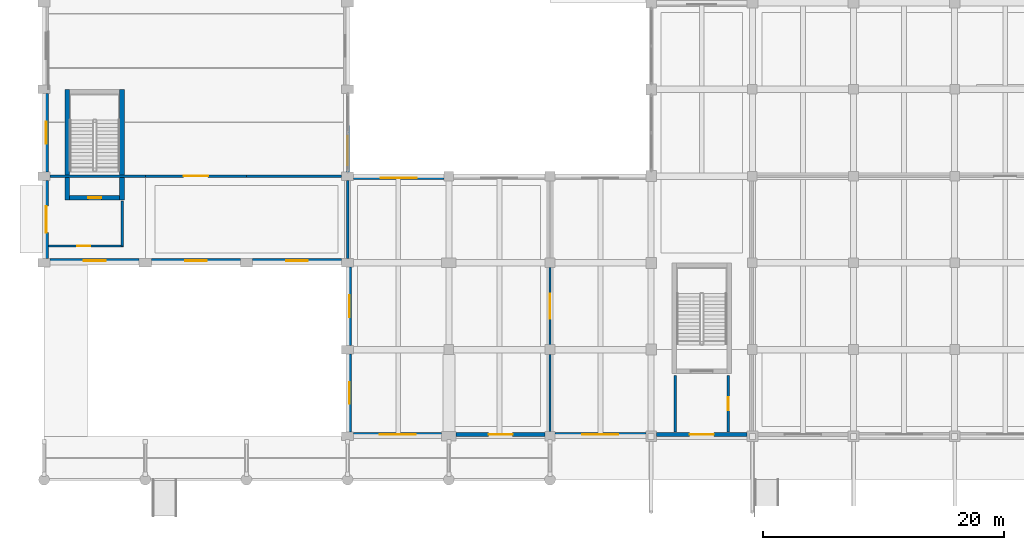
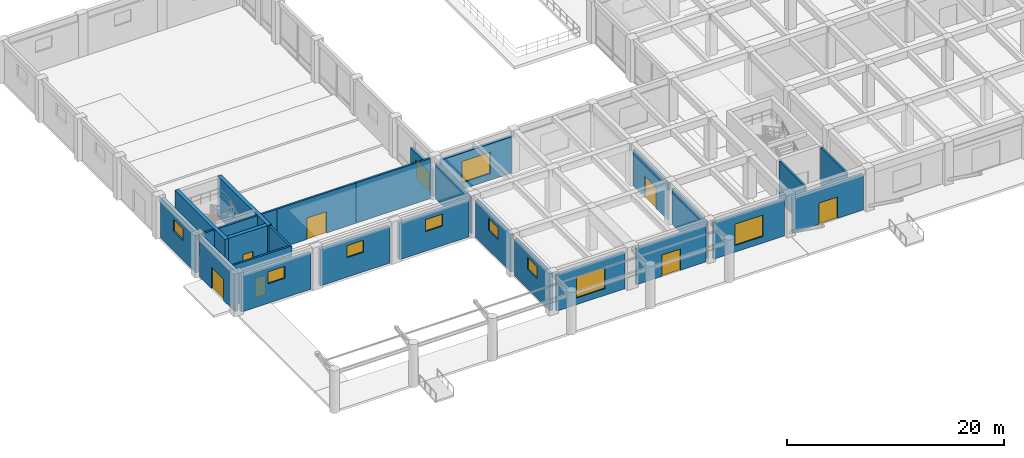
# One storey, part 25 of 49: 26 walls, 9 doors, 9 windows, 18 openings.
"""IFC4 building model written with IfcOpenShell, lengths in metres."""

from ifc_helpers import new_model, si_unit, direction, frame, frame_2d, origin, place, context, subcontext, project, spatial, rectangle, extrude, material, layer, layer_set, type_object, element, fill, save


model = new_model("IFC4")

# Units and contexts
model_context = context("Model", 3, precision=1e-05, world=origin(), true_north=direction((0.0, 1.0)))
body_context = subcontext(model_context, "Body", "Model", "MODEL_VIEW")
ifc_project = project(units=[si_unit("LENGTHUNIT", "METRE"), si_unit("AREAUNIT", "SQUARE_METRE"), si_unit("VOLUMEUNIT", "CUBIC_METRE"), si_unit("PLANEANGLEUNIT", "RADIAN"), si_unit("MASSUNIT", "GRAM", prefix="KILO")], contexts=[model_context])

# Site, building, storey
site_placement = place(None, origin())
site = spatial("IfcSite", under=ifc_project, at=site_placement, CompositionType="ELEMENT")
building_placement = place(site_placement, origin())
building = spatial("IfcBuilding", under=site, at=building_placement, Name="Kenerak Square Central Library", CompositionType="ELEMENT")
storey_placement = place(building_placement, origin())
storey = spatial("IfcBuildingStorey", under=building, at=storey_placement, Name="L00", CompositionType="ELEMENT", Elevation=0.0)

# Wall, opening, window
ifc_material_1 = material(Name="Concrete C40/50", Category="concrete")
ifc_layer_1 = layer(ifc_material_1, 0.35009765625)
ifc_layer_set_1 = layer_set([ifc_layer_1], Name="Concrete C40/50")
wall_type_1 = type_object("IfcWallType", Name="Auditorium Fluted Acoustic Wall AW-350 C40/50", PredefinedType="SOLIDWALL", material=ifc_layer_set_1)
wall_1_placement = place(storey_placement, frame((32.699951171875, 31.375, 0.0), z_axis=(0.0, 0.0, 1.0), x_axis=(-1.0, 0.0, 0.0)))
wall_1 = element("IfcWall", 1, at=wall_1_placement, inside=storey, type_object=wall_type_1, Name="Exterior Facade Wall L00 0092", PredefinedType="SOLIDWALL", context=body_context, shape_type="SweptSolid", body=[
    extrude(rectangle(XDim=7.39990234375, YDim=0.35009765625, at=frame_2d((3.699951171875, 0.0))), origin(), (0.0, 0.0, 1.0), 4.10009765625),
])
opening_1_placement = place(wall_1_placement, frame((2.800048828125, 0.0, 2.199951171875)))
opening_1 = element("IfcOpeningElement", 2, at=opening_1_placement, cuts=wall_1, Name="Opening W-08", PredefinedType="OPENING", context=body_context, shape_type="SweptSolid", body=[
    extrude(rectangle(XDim=1.800048828125, YDim=1.35009765625, at=frame_2d((0.89990234375, 0.675048828125))), frame((0.0, 0.18505859375, 0.0), z_axis=(0.0, -1.0, 0.0), x_axis=(1.0, 0.0, 0.0)), (0.0, 0.0, 1.0), 0.3701171875),
])
ifc_material_2 = material(Name="Solar-control low-E laminated double glazing", Category="glass")
window_type_1 = type_object("IfcWindowType", Name="Acoustic Clerestory Window W-08 1800x1350", PartitioningType="SINGLE_PANEL", PredefinedType="WINDOW", material=ifc_material_2)
window_1_placement = place(opening_1_placement, origin())
window_1 = element("IfcWindow", 3, at=window_1_placement, inside=storey, type_object=window_type_1, Name="Window W-08 L00 0065", OverallHeight=1.35009765625, OverallWidth=1.800048828125, PartitioningType="SINGLE_PANEL", PredefinedType="WINDOW", context=body_context, shape_type="SweptSolid", body=[
    extrude(rectangle(XDim=1.800048828125, YDim=1.35009765625, at=frame_2d((0.89990234375, 0.675048828125))), frame((0.0, 0.030029296875, 0.0), z_axis=(0.0, -1.0, 0.0), x_axis=(1.0, 0.0, 0.0)), (0.0, 0.0, 1.0), 0.06005859375),
])
fill(opening_1, window_1)

wall_2_placement = place(storey_placement, frame((24.300048828125, 31.375, 0.0), z_axis=(0.0, 0.0, 1.0), x_axis=(-1.0, 0.0, 0.0)))
wall_2 = element("IfcWall", 4, at=wall_2_placement, inside=storey, type_object=wall_type_1, Name="Exterior Facade Wall L00 0093", PredefinedType="SOLIDWALL", context=body_context, shape_type="SweptSolid", body=[
    extrude(rectangle(XDim=7.400146484375, YDim=0.35009765625, at=frame_2d((3.7001953125, 0.0))), origin(), (0.0, 0.0, 1.0), 4.10009765625),
])
opening_2_placement = place(wall_2_placement, frame((2.800048828125, 0.0, 2.199951171875)))
opening_2 = element("IfcOpeningElement", 5, at=opening_2_placement, cuts=wall_2, Name="Opening W-08", PredefinedType="OPENING", context=body_context, shape_type="SweptSolid", body=[
    extrude(rectangle(XDim=1.800048828125, YDim=1.35009765625, at=frame_2d((0.89990234375, 0.675048828125))), frame((0.0, 0.18505859375, 0.0), z_axis=(0.0, -1.0, 0.0), x_axis=(1.0, 0.0, 0.0)), (0.0, 0.0, 1.0), 0.3701171875),
])
window_2_placement = place(opening_2_placement, origin())
window_2 = element("IfcWindow", 6, at=window_2_placement, inside=storey, type_object=window_type_1, Name="Window W-08 L00 0066", OverallHeight=1.35009765625, OverallWidth=1.800048828125, PartitioningType="SINGLE_PANEL", PredefinedType="WINDOW", context=body_context, shape_type="SweptSolid", body=[
    extrude(rectangle(XDim=1.800048828125, YDim=1.35009765625, at=frame_2d((0.89990234375, 0.675048828125))), frame((0.0, 0.030029296875, 0.0), z_axis=(0.0, -1.0, 0.0), x_axis=(1.0, 0.0, 0.0)), (0.0, 0.0, 1.0), 0.06005859375),
])
fill(opening_2, window_2)

wall_3_placement = place(storey_placement, frame((15.89990234375, 31.375, 0.0), z_axis=(0.0, 0.0, 1.0), x_axis=(-1.0, 0.0, 0.0)))
wall_3 = element("IfcWall", 7, at=wall_3_placement, inside=storey, type_object=wall_type_1, Name="Exterior Facade Wall L00 0094", PredefinedType="SOLIDWALL", context=body_context, shape_type="SweptSolid", body=[
    extrude(rectangle(XDim=7.39990234375, YDim=0.35009765625, at=frame_2d((3.699951171875, 0.0))), origin(), (0.0, 0.0, 1.0), 4.10009765625),
])
opening_3_placement = place(wall_3_placement, frame((2.800048828125, 0.0, 2.199951171875)))
opening_3 = element("IfcOpeningElement", 8, at=opening_3_placement, cuts=wall_3, Name="Opening W-08", PredefinedType="OPENING", context=body_context, shape_type="SweptSolid", body=[
    extrude(rectangle(XDim=1.800048828125, YDim=1.35009765625, at=frame_2d((0.89990234375, 0.675048828125))), frame((0.0, 0.18505859375, 0.0), z_axis=(0.0, -1.0, 0.0), x_axis=(1.0, 0.0, 0.0)), (0.0, 0.0, 1.0), 0.3701171875),
])
window_3_placement = place(opening_3_placement, origin())
window_3 = element("IfcWindow", 9, at=window_3_placement, inside=storey, type_object=window_type_1, Name="Window W-08 L00 0067", OverallHeight=1.35009765625, OverallWidth=1.800048828125, PartitioningType="SINGLE_PANEL", PredefinedType="WINDOW", context=body_context, shape_type="SweptSolid", body=[
    extrude(rectangle(XDim=1.800048828125, YDim=1.35009765625, at=frame_2d((0.89990234375, 0.675048828125))), frame((0.0, 0.030029296875, 0.0), z_axis=(0.0, -1.0, 0.0), x_axis=(1.0, 0.0, 0.0)), (0.0, 0.0, 1.0), 0.06005859375),
])
fill(opening_3, window_3)

# Wall, opening, door
wall_4_placement = place(storey_placement, frame((8.175048828125, 31.550048828125, 0.0), z_axis=(0.0, 0.0, 1.0), x_axis=(0.0, 1.0, 0.0)))
wall_4 = element("IfcWall", 10, at=wall_4_placement, inside=storey, type_object=wall_type_1, Name="Exterior Facade Wall L00 0095", PredefinedType="SOLIDWALL", context=body_context, shape_type="SweptSolid", body=[
    extrude(rectangle(XDim=6.5, YDim=0.35009765625, at=frame_2d((3.25, 0.0))), origin(), (0.0, 0.0, 1.0), 4.52490234375),
])
opening_4_placement = place(wall_4_placement, frame((2.14990234375, 0.0, 0.0)))
opening_4 = element("IfcOpeningElement", 11, at=opening_4_placement, cuts=wall_4, Name="Opening ED-03", PredefinedType="OPENING", context=body_context, shape_type="SweptSolid", body=[
    extrude(rectangle(XDim=2.199951171875, YDim=2.39990234375, at=frame_2d((1.10009765625, 1.199951171875))), frame((0.0, 0.18505859375, 0.0), z_axis=(0.0, -1.0, 0.0), x_axis=(1.0, 0.0, 0.0)), (0.0, 0.0, 1.0), 0.3701171875),
])
ifc_material_3 = material(Name="Anodised aluminium and laminated glass", Category="aluminium")
door_type_1 = type_object("IfcDoorType", Name="Auditorium Foyer Double Exit Door ED-2200x2400", OperationType="NOTDEFINED", PredefinedType="DOOR", material=ifc_material_3)
door_1_placement = place(opening_4_placement, origin())
door_1 = element("IfcDoor", 12, at=door_1_placement, inside=storey, type_object=door_type_1, Name="Exterior Entrance Door L00 015", OperationType="DOUBLE_DOOR_SINGLE_SWING", OverallHeight=2.39990234375, OverallWidth=2.199951171875, PredefinedType="DOOR", context=body_context, shape_type="SweptSolid", body=[
    extrude(rectangle(XDim=2.199951171875, YDim=2.39990234375, at=frame_2d((1.10009765625, 1.199951171875))), frame((0.0, 0.02490234375, 0.0), z_axis=(0.0, -1.0, 0.0), x_axis=(1.0, 0.0, 0.0)), (0.0, 0.0, 1.0), 0.050048828125),
])
fill(opening_4, door_1)

# Wall, opening, window
wall_5_placement = place(storey_placement, frame((8.175048828125, 38.75, 0.0), z_axis=(0.0, 0.0, 1.0), x_axis=(0.0, 1.0, 0.0)))
wall_5 = element("IfcWall", 13, at=wall_5_placement, inside=storey, type_object=wall_type_1, Name="Exterior Facade Wall L00 0096", PredefinedType="SOLIDWALL", context=body_context, shape_type="SweptSolid", body=[
    extrude(rectangle(XDim=6.5, YDim=0.35009765625, at=frame_2d((3.25, 0.0))), origin(), (0.0, 0.0, 1.0), 4.52490234375),
])
opening_5_placement = place(wall_5_placement, frame((2.35009765625, 0.0, 2.199951171875)))
opening_5 = element("IfcOpeningElement", 14, at=opening_5_placement, cuts=wall_5, Name="Opening W-08", PredefinedType="OPENING", context=body_context, shape_type="SweptSolid", body=[
    extrude(rectangle(XDim=1.800048828125, YDim=1.35009765625, at=frame_2d((0.89990234375, 0.675048828125))), frame((0.0, 0.18505859375, 0.0), z_axis=(0.0, -1.0, 0.0), x_axis=(1.0, 0.0, 0.0)), (0.0, 0.0, 1.0), 0.3701171875),
])
window_4_placement = place(opening_5_placement, origin())
window_4 = element("IfcWindow", 15, at=window_4_placement, inside=storey, type_object=window_type_1, Name="Window W-08 L00 0068", OverallHeight=1.35009765625, OverallWidth=1.800048828125, PartitioningType="SINGLE_PANEL", PredefinedType="WINDOW", context=body_context, shape_type="SweptSolid", body=[
    extrude(rectangle(XDim=1.800048828125, YDim=1.35009765625, at=frame_2d((0.89990234375, 0.675048828125))), frame((0.0, 0.030029296875, 0.0), z_axis=(0.0, -1.0, 0.0), x_axis=(1.0, 0.0, 0.0)), (0.0, 0.0, 1.0), 0.06005859375),
])
fill(opening_5, window_4)

# Wall, opening, door
ifc_layer_2 = layer(ifc_material_1, 0.300048828125)
ifc_layer_set_2 = layer_set([ifc_layer_2], Name="Concrete C40/50")
wall_type_2 = type_object("IfcWallType", Name="Board-Marked Brutalist Facade Wall EW-300 C40/50", PredefinedType="SOLIDWALL", material=ifc_layer_set_2)
wall_6_placement = place(storey_placement, frame((66.35009765625, 16.949951171875, 0.0), z_axis=(0.0, 0.0, 1.0), x_axis=(-1.0, 0.0, 0.0)))
wall_6 = element("IfcWall", 16, at=wall_6_placement, inside=storey, type_object=wall_type_2, Name="Exterior Facade Wall L00 0086", PredefinedType="SOLIDWALL", context=body_context, shape_type="SweptSolid", body=[
    extrude(rectangle(XDim=7.5, YDim=0.300048828125, at=frame_2d((3.75, 0.0))), origin(), (0.0, 0.0, 1.0), 4.0),
])
opening_6_placement = place(wall_6_placement, frame((2.75, 0.0, 0.0)))
opening_6 = element("IfcOpeningElement", 17, at=opening_6_placement, cuts=wall_6, Name="Opening ED-04", PredefinedType="OPENING", context=body_context, shape_type="SweptSolid", body=[
    extrude(rectangle(XDim=2.0, YDim=2.39990234375, at=frame_2d((1.0, 1.199951171875))), frame((0.0, 0.159912109375, 0.0), z_axis=(0.0, -1.0, 0.0), x_axis=(1.0, 0.0, 0.0)), (0.0, 0.0, 1.0), 0.320068359375),
])
door_type_2 = type_object("IfcDoorType", Name="Cafe and Bookshop Entrance Door ED-2000x2400", OperationType="NOTDEFINED", PredefinedType="DOOR", material=ifc_material_3)
door_2_placement = place(opening_6_placement, origin())
door_2 = element("IfcDoor", 18, at=door_2_placement, inside=storey, type_object=door_type_2, Name="Exterior Entrance Door L00 013", OperationType="DOUBLE_DOOR_SINGLE_SWING", OverallHeight=2.39990234375, OverallWidth=2.0, PredefinedType="DOOR", context=body_context, shape_type="SweptSolid", body=[
    extrude(rectangle(XDim=2.0, YDim=2.39990234375, at=frame_2d((1.0, 1.199951171875))), frame((0.0, 0.02490234375, 0.0), z_axis=(0.0, -1.0, 0.0), x_axis=(1.0, 0.0, 0.0)), (0.0, 0.0, 1.0), 0.050048828125),
])
fill(opening_6, door_2)

# Wall, opening, window
wall_7_placement = place(storey_placement, frame((57.949951171875, 16.949951171875, 0.0), z_axis=(0.0, 0.0, 1.0), x_axis=(-1.0, 0.0, 0.0)))
wall_7 = element("IfcWall", 19, at=wall_7_placement, inside=storey, type_object=wall_type_2, Name="Exterior Facade Wall L00 0087", PredefinedType="SOLIDWALL", context=body_context, shape_type="SweptSolid", body=[
    extrude(rectangle(XDim=7.550048828125, YDim=0.300048828125, at=frame_2d((3.77490234375, 0.0))), origin(), (0.0, 0.0, 1.0), 4.10009765625),
])
opening_7_placement = place(wall_7_placement, frame((2.27490234375, 0.0, 0.75)))
opening_7 = element("IfcOpeningElement", 20, at=opening_7_placement, cuts=wall_7, Name="Opening W-14", PredefinedType="OPENING", context=body_context, shape_type="SweptSolid", body=[
    extrude(rectangle(XDim=3.0, YDim=2.39990234375, at=frame_2d((1.5, 1.199951171875))), frame((0.0, 0.159912109375, 0.0), z_axis=(0.0, -1.0, 0.0), x_axis=(1.0, 0.0, 0.0)), (0.0, 0.0, 1.0), 0.320068359375),
])
window_type_2 = type_object("IfcWindowType", Name="Street Cafe Display Window W-14 3000x2400", PartitioningType="SINGLE_PANEL", PredefinedType="WINDOW", material=ifc_material_2)
window_5_placement = place(opening_7_placement, origin())
window_5 = element("IfcWindow", 21, at=window_5_placement, inside=storey, type_object=window_type_2, Name="Window W-14 L00 0061", OverallHeight=2.39990234375, OverallWidth=3.0, PartitioningType="SINGLE_PANEL", PredefinedType="WINDOW", context=body_context, shape_type="SweptSolid", body=[
    extrude(rectangle(XDim=3.0, YDim=2.39990234375, at=frame_2d((1.5, 1.199951171875))), frame((0.0, 0.030029296875, 0.0), z_axis=(0.0, -1.0, 0.0), x_axis=(1.0, 0.0, 0.0)), (0.0, 0.0, 1.0), 0.06005859375),
])
fill(opening_7, window_5)

# Wall, opening, door
wall_8_placement = place(storey_placement, frame((49.60009765625, 16.949951171875, 0.0), z_axis=(0.0, 0.0, 1.0), x_axis=(-1.0, 0.0, 0.0)))
wall_8 = element("IfcWall", 22, at=wall_8_placement, inside=storey, type_object=wall_type_2, Name="Exterior Facade Wall L00 0088", PredefinedType="SOLIDWALL", context=body_context, shape_type="SweptSolid", body=[
    extrude(rectangle(XDim=7.400146484375, YDim=0.300048828125, at=frame_2d((3.7001953125, 0.0))), origin(), (0.0, 0.0, 1.0), 4.10009765625),
])
opening_8_placement = place(wall_8_placement, frame((2.699951171875, 0.0, 0.0)))
opening_8 = element("IfcOpeningElement", 23, at=opening_8_placement, cuts=wall_8, Name="Opening ED-04", PredefinedType="OPENING", context=body_context, shape_type="SweptSolid", body=[
    extrude(rectangle(XDim=2.0, YDim=2.39990234375, at=frame_2d((1.0, 1.199951171875))), frame((0.0, 0.159912109375, 0.0), z_axis=(0.0, -1.0, 0.0), x_axis=(1.0, 0.0, 0.0)), (0.0, 0.0, 1.0), 0.320068359375),
])
door_3_placement = place(opening_8_placement, origin())
door_3 = element("IfcDoor", 24, at=door_3_placement, inside=storey, type_object=door_type_2, Name="Exterior Entrance Door L00 014", OperationType="DOUBLE_DOOR_SINGLE_SWING", OverallHeight=2.39990234375, OverallWidth=2.0, PredefinedType="DOOR", context=body_context, shape_type="SweptSolid", body=[
    extrude(rectangle(XDim=2.0, YDim=2.39990234375, at=frame_2d((1.0, 1.199951171875))), frame((0.0, 0.02490234375, 0.0), z_axis=(0.0, -1.0, 0.0), x_axis=(1.0, 0.0, 0.0)), (0.0, 0.0, 1.0), 0.050048828125),
])
fill(opening_8, door_3)

# Wall, opening, window
wall_9_placement = place(storey_placement, frame((41.0, 16.949951171875, 0.0), z_axis=(0.0, 0.0, 1.0), x_axis=(-1.0, 0.0, 0.0)))
wall_9 = element("IfcWall", 25, at=wall_9_placement, inside=storey, type_object=wall_type_2, Name="Exterior Facade Wall L00 0089", PredefinedType="SOLIDWALL", context=body_context, shape_type="SweptSolid", body=[
    extrude(rectangle(XDim=7.300048828125, YDim=0.300048828125, at=frame_2d((3.64990234375, 0.0))), origin(), (0.0, 0.0, 1.0), 4.10009765625),
])
opening_9_placement = place(wall_9_placement, frame((2.14990234375, 0.0, 0.75)))
opening_9 = element("IfcOpeningElement", 26, at=opening_9_placement, cuts=wall_9, Name="Opening W-14", PredefinedType="OPENING", context=body_context, shape_type="SweptSolid", body=[
    extrude(rectangle(XDim=3.0, YDim=2.39990234375, at=frame_2d((1.5, 1.199951171875))), frame((0.0, 0.159912109375, 0.0), z_axis=(0.0, -1.0, 0.0), x_axis=(1.0, 0.0, 0.0)), (0.0, 0.0, 1.0), 0.320068359375),
])
window_6_placement = place(opening_9_placement, origin())
window_6 = element("IfcWindow", 27, at=window_6_placement, inside=storey, type_object=window_type_2, Name="Window W-14 L00 0062", OverallHeight=2.39990234375, OverallWidth=3.0, PartitioningType="SINGLE_PANEL", PredefinedType="WINDOW", context=body_context, shape_type="SweptSolid", body=[
    extrude(rectangle(XDim=3.0, YDim=2.39990234375, at=frame_2d((1.5, 1.199951171875))), frame((0.0, 0.030029296875, 0.0), z_axis=(0.0, -1.0, 0.0), x_axis=(1.0, 0.0, 0.0)), (0.0, 0.0, 1.0), 0.06005859375),
])
fill(opening_9, window_6)

wall_10_placement = place(storey_placement, frame((33.35009765625, 17.14990234375, 0.0), z_axis=(0.0, 0.0, 1.0), x_axis=(0.0, 1.0, 0.0)))
wall_10 = element("IfcWall", 28, at=wall_10_placement, inside=storey, type_object=wall_type_2, Name="Exterior Facade Wall L00 0090", PredefinedType="SOLIDWALL", context=body_context, shape_type="SweptSolid", body=[
    extrude(rectangle(XDim=6.5, YDim=0.300048828125, at=frame_2d((3.25, 0.0))), origin(), (0.0, 0.0, 1.0), 4.199951171875),
])
opening_10_placement = place(wall_10_placement, frame((2.35009765625, 0.0, 2.199951171875)))
opening_10 = element("IfcOpeningElement", 29, at=opening_10_placement, cuts=wall_10, Name="Opening W-08", PredefinedType="OPENING", context=body_context, shape_type="SweptSolid", body=[
    extrude(rectangle(XDim=1.800048828125, YDim=1.35009765625, at=frame_2d((0.89990234375, 0.675048828125))), frame((0.0, 0.159912109375, 0.0), z_axis=(0.0, -1.0, 0.0), x_axis=(1.0, 0.0, 0.0)), (0.0, 0.0, 1.0), 0.320068359375),
])
window_7_placement = place(opening_10_placement, origin())
window_7 = element("IfcWindow", 30, at=window_7_placement, inside=storey, type_object=window_type_1, Name="Window W-08 L00 0063", OverallHeight=1.35009765625, OverallWidth=1.800048828125, PartitioningType="SINGLE_PANEL", PredefinedType="WINDOW", context=body_context, shape_type="SweptSolid", body=[
    extrude(rectangle(XDim=1.800048828125, YDim=1.35009765625, at=frame_2d((0.89990234375, 0.675048828125))), frame((0.0, 0.030029296875, 0.0), z_axis=(0.0, -1.0, 0.0), x_axis=(1.0, 0.0, 0.0)), (0.0, 0.0, 1.0), 0.06005859375),
])
fill(opening_10, window_7)

wall_11_placement = place(storey_placement, frame((33.35009765625, 24.35009765625, 0.0), z_axis=(0.0, 0.0, 1.0), x_axis=(0.0, 1.0, 0.0)))
wall_11 = element("IfcWall", 31, at=wall_11_placement, inside=storey, type_object=wall_type_2, Name="Exterior Facade Wall L00 0091", PredefinedType="SOLIDWALL", context=body_context, shape_type="SweptSolid", body=[
    extrude(rectangle(XDim=6.5, YDim=0.300048828125, at=frame_2d((3.25, 0.0))), origin(), (0.0, 0.0, 1.0), 4.199951171875),
])
opening_11_placement = place(wall_11_placement, frame((2.35009765625, 0.0, 2.199951171875)))
opening_11 = element("IfcOpeningElement", 32, at=opening_11_placement, cuts=wall_11, Name="Opening W-08", PredefinedType="OPENING", context=body_context, shape_type="SweptSolid", body=[
    extrude(rectangle(XDim=1.800048828125, YDim=1.35009765625, at=frame_2d((0.89990234375, 0.675048828125))), frame((0.0, 0.159912109375, 0.0), z_axis=(0.0, -1.0, 0.0), x_axis=(1.0, 0.0, 0.0)), (0.0, 0.0, 1.0), 0.320068359375),
])
window_8_placement = place(opening_11_placement, origin())
window_8 = element("IfcWindow", 33, at=window_8_placement, inside=storey, type_object=window_type_1, Name="Window W-08 L00 0064", OverallHeight=1.35009765625, OverallWidth=1.800048828125, PartitioningType="SINGLE_PANEL", PredefinedType="WINDOW", context=body_context, shape_type="SweptSolid", body=[
    extrude(rectangle(XDim=1.800048828125, YDim=1.35009765625, at=frame_2d((0.89990234375, 0.675048828125))), frame((0.0, 0.030029296875, 0.0), z_axis=(0.0, -1.0, 0.0), x_axis=(1.0, 0.0, 0.0)), (0.0, 0.0, 1.0), 0.06005859375),
])
fill(opening_11, window_8)

wall_12_placement = place(storey_placement, frame((33.699951171875, 38.25, 0.0), z_axis=(0.0, 0.0, 1.0), x_axis=(1.0, 0.0, 0.0)))
wall_12 = element("IfcWall", 34, at=wall_12_placement, inside=storey, type_object=wall_type_2, Name="Exterior Facade Wall L00 0105", PredefinedType="SOLIDWALL", context=body_context, shape_type="SweptSolid", body=[
    extrude(rectangle(XDim=7.5, YDim=0.300048828125, at=frame_2d((3.75, 0.0))), origin(), (0.0, 0.0, 1.0), 4.10009765625),
])
opening_12_placement = place(wall_12_placement, frame((2.25, 0.0, 0.75)))
opening_12 = element("IfcOpeningElement", 35, at=opening_12_placement, cuts=wall_12, Name="Opening W-14", PredefinedType="OPENING", context=body_context, shape_type="SweptSolid", body=[
    extrude(rectangle(XDim=3.0, YDim=2.39990234375, at=frame_2d((1.5, 1.199951171875))), frame((0.0, 0.159912109375, 0.0), z_axis=(0.0, -1.0, 0.0), x_axis=(1.0, 0.0, 0.0)), (0.0, 0.0, 1.0), 0.320068359375),
])
window_9_placement = place(opening_12_placement, origin())
window_9 = element("IfcWindow", 36, at=window_9_placement, inside=storey, type_object=window_type_2, Name="Window W-14 L00 0076", OverallHeight=2.39990234375, OverallWidth=3.0, PartitioningType="SINGLE_PANEL", PredefinedType="WINDOW", context=body_context, shape_type="SweptSolid", body=[
    extrude(rectangle(XDim=3.0, YDim=2.39990234375, at=frame_2d((1.5, 1.199951171875))), frame((0.0, 0.030029296875, 0.0), z_axis=(0.0, -1.0, 0.0), x_axis=(1.0, 0.0, 0.0)), (0.0, 0.0, 1.0), 0.06005859375),
])
fill(opening_12, window_9)

# Wall, opening, door
wall_13_placement = place(storey_placement, frame((33.199951171875, 38.39990234375, 0.0), z_axis=(0.0, 0.0, 1.0), x_axis=(0.0, 1.0, 0.0)))
wall_13 = element("IfcWall", 37, at=wall_13_placement, inside=storey, type_object=wall_type_2, Name="Monsoon Court West Screen Wall", PredefinedType="SOLIDWALL", context=body_context, shape_type="SweptSolid", body=[
    extrude(rectangle(XDim=4.2001953125, YDim=0.300048828125, at=frame_2d((2.10009765625, 0.0))), origin(), (0.0, 0.0, 1.0), 3.0),
])
opening_13_placement = place(wall_13_placement, frame((0.89990234375, 0.0, 0.0)))
opening_13 = element("IfcOpeningElement", 38, at=opening_13_placement, cuts=wall_13, Name="Opening CG-01", PredefinedType="OPENING", context=body_context, shape_type="SweptSolid", body=[
    extrude(rectangle(XDim=2.39990234375, YDim=2.199951171875, at=frame_2d((1.199951171875, 1.10009765625))), frame((0.0, 0.159912109375, 0.0), z_axis=(0.0, -1.0, 0.0), x_axis=(1.0, 0.0, 0.0)), (0.0, 0.0, 1.0), 0.320068359375),
])
ifc_material_4 = material(Name="Steel S355", Category="steel")
door_type_3 = type_object("IfcDoorType", Name="Courtyard Perimeter Security Gate CG-2400x2200", OperationType="NOTDEFINED", PredefinedType="GATE", material=ifc_material_4)
door_4_placement = place(opening_13_placement, origin())
door_4 = element("IfcDoor", 39, at=door_4_placement, inside=storey, type_object=door_type_3, Name="Monsoon Court West Screen Security Gate CG-01 01", OperationType="DOUBLE_DOOR_SINGLE_SWING", OverallHeight=2.199951171875, OverallWidth=2.39990234375, PredefinedType="GATE", context=body_context, shape_type="SweptSolid", body=[
    extrude(rectangle(XDim=2.39990234375, YDim=2.199951171875, at=frame_2d((1.199951171875, 1.10009765625))), frame((0.0, 0.02490234375, 0.0), z_axis=(0.0, -1.0, 0.0), x_axis=(1.0, 0.0, 0.0)), (0.0, 0.0, 1.0), 0.050048828125),
])
fill(opening_13, door_4)

# Walls
ifc_layer_3 = layer(ifc_material_1, 0.39990234375)
ifc_layer_set_3 = layer_set([ifc_layer_3], Name="Concrete C40/50")
wall_type_3 = type_object("IfcWallType", Name="Core Shear Wall CW-400 C40/50", PredefinedType="SHEAR", material=ifc_layer_set_3)
for number, where, z_axis, x_axis, name in (
    (40, (9.919921875, 36.39990234375, 0.0), (0.0, 0.0, 1.0), (0.0, 1.0, 0.0), "Core Wall CW-C6 L00 West"),
    (41, (14.47998046875, 45.60009765625, 0.0), (0.0, 0.0, 1.0), (0.0, -1.0, 0.0), "Core Wall CW-C6 L00 East"),
):
    element("IfcWall", number, at=place(storey_placement, frame(where, z_axis=z_axis, x_axis=x_axis)), inside=storey, type_object=wall_type_3, Name=name, PredefinedType="SHEAR", context=body_context, shape_type="SweptSolid", body=[
        extrude(rectangle(XDim=9.2001953125, YDim=0.39990234375, at=frame_2d((4.60009765625, 0.0))), origin(), (0.0, 0.0, 1.0), 4.574951171875),
    ])

# Wall, opening, door
wall_14_placement = place(storey_placement, frame((14.280029296875, 36.60009765625, 0.0), z_axis=(0.0, 0.0, 1.0), x_axis=(-1.0, 0.0, 0.0)))
wall_14 = element("IfcWall", 42, at=wall_14_placement, inside=storey, type_object=wall_type_3, Name="Core Wall CW-C6 L00 South", PredefinedType="SHEAR", context=body_context, shape_type="SweptSolid", body=[
    extrude(rectangle(XDim=4.159912109375, YDim=0.39990234375, at=frame_2d((2.080078125, 0.0))), origin(), (0.0, 0.0, 1.0), 4.574951171875),
])
opening_14_placement = place(wall_14_placement, frame((1.530029296875, 0.0, 0.0)))
opening_14 = element("IfcOpeningElement", 43, at=opening_14_placement, cuts=wall_14, Name="Opening D-ST1", PredefinedType="OPENING", context=body_context, shape_type="SweptSolid", body=[
    extrude(rectangle(XDim=1.10009765625, YDim=2.199951171875, at=frame_2d((0.550048828125, 1.10009765625))), frame((0.0, 0.2099609375, 0.0), z_axis=(0.0, -1.0, 0.0), x_axis=(1.0, 0.0, 0.0)), (0.0, 0.0, 1.0), 0.419921875),
])
door_type_4 = type_object("IfcDoorType", Name="Protected Stair Fire Door FD-1100x2200 FD60S", OperationType="NOTDEFINED", PredefinedType="DOOR", material=ifc_material_4)
door_5_placement = place(opening_14_placement, frame((1.10009765625, 0.0, 0.0), z_axis=(0.0, 0.0, 1.0), x_axis=(-1.0, 0.0, 0.0)))
door_5 = element("IfcDoor", 44, at=door_5_placement, inside=storey, type_object=door_type_4, Name="Stair Door ST-06 L00", OperationType="SINGLE_SWING_RIGHT", OverallHeight=2.199951171875, OverallWidth=1.10009765625, PredefinedType="DOOR", context=body_context, shape_type="SweptSolid", body=[
    extrude(rectangle(XDim=1.10009765625, YDim=2.199951171875, at=frame_2d((0.550048828125, 1.10009765625))), frame((0.0, 0.02490234375, 0.0), z_axis=(0.0, -1.0, 0.0), x_axis=(1.0, 0.0, 0.0)), (0.0, 0.0, 1.0), 0.050048828125),
])
fill(opening_14, door_5)

# Wall
ifc_layer_4 = layer(ifc_material_1, 0.199951171875)
ifc_layer_set_4 = layer_set([ifc_layer_4], Name="Concrete C40/50")
wall_type_4 = type_object("IfcWallType", Name="Lobby Compartment Wall LW-200 C40/50", PredefinedType="SOLIDWALL", material=ifc_layer_set_4)
wall_15_placement = place(storey_placement, frame((60.39990234375, 17.14990234375, 0.0), z_axis=(0.0, 0.0, 1.0), x_axis=(0.0, 1.0, 0.0)))
element("IfcWall", 45, at=wall_15_placement, inside=storey, type_object=wall_type_4, Name="Protected Exit Corridor Wall ST-04 W", PredefinedType="SOLIDWALL", context=body_context, shape_type="SweptSolid", body=[
    extrude(rectangle(XDim=4.7001953125, YDim=0.199951171875, at=frame_2d((2.35009765625, 0.0))), origin(), (0.0, 0.0, 1.0), 4.52490234375),
])

# Wall, opening, door
wall_16_placement = place(storey_placement, frame((64.800048828125, 17.14990234375, 0.0), z_axis=(0.0, 0.0, 1.0), x_axis=(0.0, 1.0, 0.0)))
wall_16 = element("IfcWall", 46, at=wall_16_placement, inside=storey, type_object=wall_type_4, Name="Protected Exit Corridor Wall ST-04 E", PredefinedType="SOLIDWALL", context=body_context, shape_type="SweptSolid", body=[
    extrude(rectangle(XDim=4.7001953125, YDim=0.199951171875, at=frame_2d((2.35009765625, 0.0))), origin(), (0.0, 0.0, 1.0), 4.52490234375),
])
opening_15_placement = place(wall_16_placement, frame((1.800048828125, 0.0, 0.0)))
opening_15 = element("IfcOpeningElement", 47, at=opening_15_placement, cuts=wall_16, Name="Opening D-ST1", PredefinedType="OPENING", context=body_context, shape_type="SweptSolid", body=[
    extrude(rectangle(XDim=1.10009765625, YDim=2.199951171875, at=frame_2d((0.550048828125, 1.10009765625))), frame((0.0, 0.10986328125, 0.0), z_axis=(0.0, -1.0, 0.0), x_axis=(1.0, 0.0, 0.0)), (0.0, 0.0, 1.0), 0.219970703125),
])
door_6_placement = place(opening_15_placement, origin())
door_6 = element("IfcDoor", 48, at=door_6_placement, inside=storey, type_object=door_type_4, Name="Protected Exit Corridor Access Door ST-04", OperationType="SINGLE_SWING_LEFT", OverallHeight=2.199951171875, OverallWidth=1.10009765625, PredefinedType="DOOR", context=body_context, shape_type="SweptSolid", body=[
    extrude(rectangle(XDim=1.10009765625, YDim=2.199951171875, at=frame_2d((0.550048828125, 1.10009765625))), frame((0.0, 0.02490234375, 0.0), z_axis=(0.0, -1.0, 0.0), x_axis=(1.0, 0.0, 0.0)), (0.0, 0.0, 1.0), 0.050048828125),
])
fill(opening_15, door_6)

# Wall
wall_17_placement = place(storey_placement, frame((14.5, 32.60009765625, 0.0), z_axis=(0.0, 0.0, 1.0), x_axis=(0.0, 1.0, 0.0)))
element("IfcWall", 49, at=wall_17_placement, inside=storey, type_object=wall_type_4, Name="Protected Exit Lobby Side Wall ST-06", PredefinedType="SOLIDWALL", context=body_context, shape_type="SweptSolid", body=[
    extrude(rectangle(XDim=3.75, YDim=0.199951171875, at=frame_2d((1.875, 0.0))), origin(), (0.0, 0.0, 1.0), 4.52490234375),
])

# Wall, opening, door
wall_18_placement = place(storey_placement, frame((8.35009765625, 32.60009765625, 0.0), z_axis=(0.0, 0.0, 1.0), x_axis=(1.0, 0.0, 0.0)))
wall_18 = element("IfcWall", 50, at=wall_18_placement, inside=storey, type_object=wall_type_4, Name="Protected Exit Lobby South Wall ST-06", PredefinedType="SOLIDWALL", context=body_context, shape_type="SweptSolid", body=[
    extrude(rectangle(XDim=6.25, YDim=0.199951171875, at=frame_2d((3.125, 0.0))), origin(), (0.0, 0.0, 1.0), 4.52490234375),
])
opening_16_placement = place(wall_18_placement, frame((2.39990234375, 0.0, 0.0)))
opening_16 = element("IfcOpeningElement", 51, at=opening_16_placement, cuts=wall_18, Name="Opening D-ST1", PredefinedType="OPENING", context=body_context, shape_type="SweptSolid", body=[
    extrude(rectangle(XDim=1.10009765625, YDim=2.199951171875, at=frame_2d((0.550048828125, 1.10009765625))), frame((0.0, 0.10986328125, 0.0), z_axis=(0.0, -1.0, 0.0), x_axis=(1.0, 0.0, 0.0)), (0.0, 0.0, 1.0), 0.219970703125),
])
door_7_placement = place(opening_16_placement, origin())
door_7 = element("IfcDoor", 52, at=door_7_placement, inside=storey, type_object=door_type_4, Name="Protected Exit Lobby Entry Door ST-06", OperationType="SINGLE_SWING_LEFT", OverallHeight=2.199951171875, OverallWidth=1.10009765625, PredefinedType="DOOR", context=body_context, shape_type="SweptSolid", body=[
    extrude(rectangle(XDim=1.10009765625, YDim=2.199951171875, at=frame_2d((0.550048828125, 1.10009765625))), frame((0.0, 0.02490234375, 0.0), z_axis=(0.0, -1.0, 0.0), x_axis=(1.0, 0.0, 0.0)), (0.0, 0.0, 1.0), 0.050048828125),
])
fill(opening_16, door_7)

ifc_material_5 = material(Name="Precast concrete C40/50", Category="concrete")
ifc_layer_5 = layer(ifc_material_5, 0.199951171875)
ifc_layer_set_5 = layer_set([ifc_layer_5], Name="Precast concrete C40/50")
wall_type_5 = type_object("IfcWallType", Name="Protected Corridor Fire Wall IW-200 C40/50", PredefinedType="PARTITIONING", material=ifc_layer_set_5)
wall_19_placement = place(storey_placement, frame((50.0, 30.800048828125, 0.0), z_axis=(0.0, 0.0, 1.0), x_axis=(0.0, -1.0, 0.0)))
wall_19 = element("IfcWall", 53, at=wall_19_placement, inside=storey, type_object=wall_type_5, Name="Interior Wall IW-L00-04-E4-B2", PredefinedType="PARTITIONING", context=body_context, shape_type="SweptSolid", body=[
    extrude(rectangle(XDim=6.400146484375, YDim=0.199951171875, at=frame_2d((3.2001953125, 0.0))), origin(), (0.0, 0.0, 1.0), 4.050048828125),
])
opening_17_placement = place(wall_19_placement, frame((2.175048828125, 0.0, 0.0)))
opening_17 = element("IfcOpeningElement", 54, at=opening_17_placement, cuts=wall_19, Name="Opening ID-10", PredefinedType="OPENING", context=body_context, shape_type="SweptSolid", body=[
    extrude(rectangle(XDim=2.050048828125, YDim=2.39990234375, at=frame_2d((1.02490234375, 1.199951171875))), frame((0.0, 0.10986328125, 0.0), z_axis=(0.0, -1.0, 0.0), x_axis=(1.0, 0.0, 0.0)), (0.0, 0.0, 1.0), 0.219970703125),
])
ifc_material_6 = material(Name="Chengal hardwood timber SG1", Category="wood")
door_type_5 = type_object("IfcDoorType", Name="Auditorium and Lecture Double Door ID-2050x2400 FD60S", OperationType="NOTDEFINED", PredefinedType="DOOR", material=ifc_material_6)
door_8_placement = place(opening_17_placement, origin())
door_8 = element("IfcDoor", 55, at=door_8_placement, inside=storey, type_object=door_type_5, Name="Civic Lecture Hall Door", OperationType="DOUBLE_DOOR_SINGLE_SWING", OverallHeight=2.39990234375, OverallWidth=2.050048828125, PredefinedType="DOOR", context=body_context, shape_type="SweptSolid", body=[
    extrude(rectangle(XDim=2.050048828125, YDim=2.39990234375, at=frame_2d((1.02490234375, 1.199951171875))), frame((0.0, 0.02490234375, 0.0), z_axis=(0.0, -1.0, 0.0), x_axis=(1.0, 0.0, 0.0)), (0.0, 0.0, 1.0), 0.050048828125),
])
fill(opening_17, door_8)

# Walls
wall_20_placement = place(storey_placement, frame((50.0, 23.60009765625, 0.0), z_axis=(0.0, 0.0, 1.0), x_axis=(0.0, -1.0, 0.0)))
element("IfcWall", 56, at=wall_20_placement, inside=storey, type_object=wall_type_5, Name="Interior Wall IW-L00-04-E4-B3", PredefinedType="PARTITIONING", context=body_context, shape_type="SweptSolid", body=[
    extrude(rectangle(XDim=6.400146484375, YDim=0.199951171875, at=frame_2d((3.2001953125, 0.0))), origin(), (0.0, 0.0, 1.0), 4.050048828125),
])
wall_21_placement = place(storey_placement, frame((32.699951171875, 38.39990234375, 0.0), z_axis=(0.0, 0.0, 1.0), x_axis=(-1.0, 0.0, 0.0)))
element("IfcWall", 57, at=wall_21_placement, inside=storey, type_object=wall_type_5, Name="Interior Wall IW-L00-08-S1-B1", PredefinedType="PARTITIONING", context=body_context, shape_type="SweptSolid", body=[
    extrude(rectangle(XDim=7.89990234375, YDim=0.199951171875, at=frame_2d((3.949951171875, 0.0))), origin(), (0.0, 0.0, 1.0), 4.52490234375),
])

# Wall, opening, door
wall_22_placement = place(storey_placement, frame((24.800048828125, 38.39990234375, 0.0), z_axis=(0.0, 0.0, 1.0), x_axis=(-1.0, 0.0, 0.0)))
wall_22 = element("IfcWall", 58, at=wall_22_placement, inside=storey, type_object=wall_type_5, Name="Interior Wall IW-L00-08-S1-B2", PredefinedType="PARTITIONING", context=body_context, shape_type="SweptSolid", body=[
    extrude(rectangle(XDim=8.400146484375, YDim=0.199951171875, at=frame_2d((4.2001953125, 0.0))), origin(), (0.0, 0.0, 1.0), 4.52490234375),
])
opening_18_placement = place(wall_22_placement, frame((3.175048828125, 0.0, 0.0)))
opening_18 = element("IfcOpeningElement", 59, at=opening_18_placement, cuts=wall_22, Name="Opening ID-10", PredefinedType="OPENING", context=body_context, shape_type="SweptSolid", body=[
    extrude(rectangle(XDim=2.050048828125, YDim=2.39990234375, at=frame_2d((1.02490234375, 1.199951171875))), frame((0.0, 0.10986328125, 0.0), z_axis=(0.0, -1.0, 0.0), x_axis=(1.0, 0.0, 0.0)), (0.0, 0.0, 1.0), 0.219970703125),
])
door_9_placement = place(opening_18_placement, origin())
door_9 = element("IfcDoor", 60, at=door_9_placement, inside=storey, type_object=door_type_5, Name="Raked Civic Auditorium Stalls and Stage Door", OperationType="DOUBLE_DOOR_SINGLE_SWING", OverallHeight=2.39990234375, OverallWidth=2.050048828125, PredefinedType="DOOR", context=body_context, shape_type="SweptSolid", body=[
    extrude(rectangle(XDim=2.050048828125, YDim=2.39990234375, at=frame_2d((1.02490234375, 1.199951171875))), frame((0.0, 0.02490234375, 0.0), z_axis=(0.0, -1.0, 0.0), x_axis=(1.0, 0.0, 0.0)), (0.0, 0.0, 1.0), 0.050048828125),
])
fill(opening_18, door_9)

# Walls
wall_23_placement = place(storey_placement, frame((16.39990234375, 38.39990234375, 0.0), z_axis=(0.0, 0.0, 1.0), x_axis=(-1.0, 0.0, 0.0)))
element("IfcWall", 61, at=wall_23_placement, inside=storey, type_object=wall_type_5, Name="Interior Wall IW-L00-08-S1-B3", PredefinedType="PARTITIONING", context=body_context, shape_type="SweptSolid", body=[
    extrude(rectangle(XDim=7.89990234375, YDim=0.199951171875, at=frame_2d((3.949951171875, 0.0))), origin(), (0.0, 0.0, 1.0), 4.52490234375),
])
wall_24_placement = place(storey_placement, frame((33.199951171875, 31.550048828125, 0.0), z_axis=(0.0, 0.0, 1.0), x_axis=(0.0, 1.0, 0.0)))
element("IfcWall", 62, at=wall_24_placement, inside=storey, type_object=wall_type_5, Name="Interior Wall IW-L00-04-W3-B3", PredefinedType="PARTITIONING", context=body_context, shape_type="SweptSolid", body=[
    extrude(rectangle(XDim=6.5, YDim=0.199951171875, at=frame_2d((3.25, 0.0))), origin(), (0.0, 0.0, 1.0), 4.050048828125),
])

save(model, "model.ifc")
